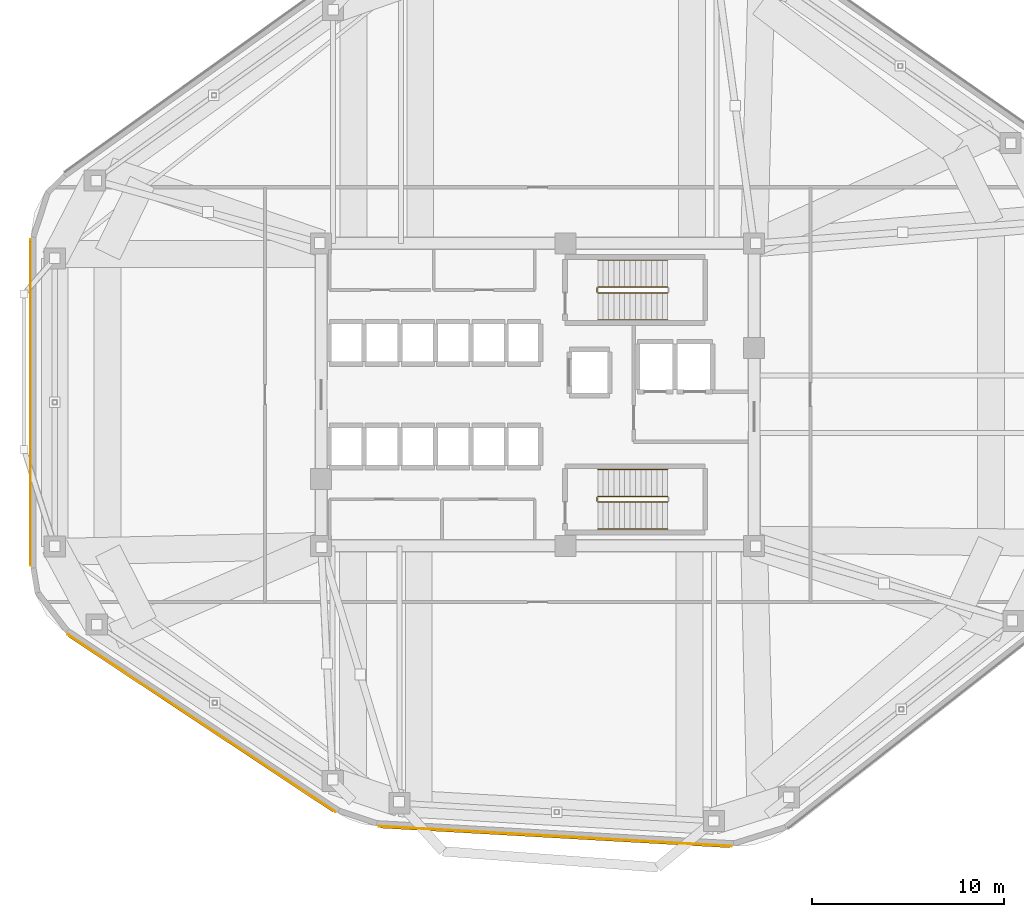
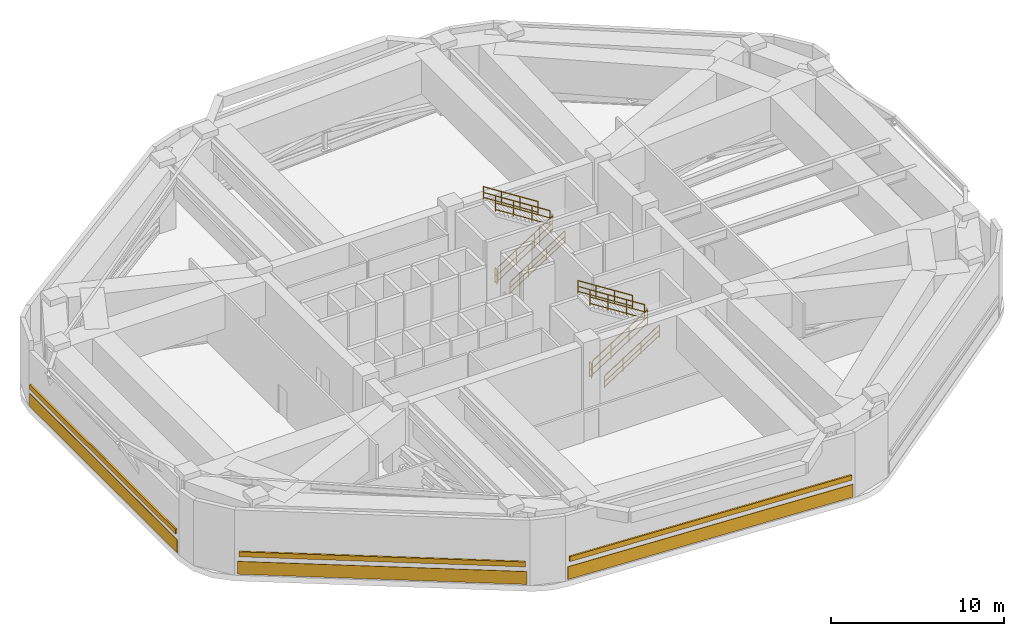
# One storey, part 10 of 12: 10 railings, 3 coverings, 3 shading devices.
"""IFC4 building model written with IfcOpenShell, lengths in metres."""

from ifc_helpers import new_model, si_unit, direction, frame, origin, origin_2d, place, context, subcontext, project, spatial, rectangle, extrude, material, layer, layer_set, type_object, element, save


model = new_model("IFC4")

# Units and contexts
model_context = context("Model", 3, precision=1e-05, world=origin(), true_north=direction((0.0, 1.0)))
body_context = subcontext(model_context, "Body", "Model", "MODEL_VIEW")
ifc_project = project(units=[si_unit("LENGTHUNIT", "METRE"), si_unit("AREAUNIT", "SQUARE_METRE"), si_unit("VOLUMEUNIT", "CUBIC_METRE"), si_unit("PLANEANGLEUNIT", "RADIAN"), si_unit("MASSUNIT", "GRAM", prefix="KILO")], contexts=[model_context])

# Site, building, storey
site_placement = place(None, origin())
site = spatial("IfcSite", under=ifc_project, at=site_placement, CompositionType="ELEMENT")
building_placement = place(site_placement, origin())
building = spatial("IfcBuilding", under=site, at=building_placement, Name="Zulverin Broadcast Headquarters", CompositionType="ELEMENT")
storey_placement = place(building_placement, frame((0.0, 0.0, 120.0)))
storey = spatial("IfcBuildingStorey", under=building, at=storey_placement, Name="L30", CompositionType="ELEMENT", Elevation=120.0)

# Coverings
ifc_material_1 = material(Name="Brushed pale-aluminium rainscreen cladding", Category="aluminium")
ifc_layer = layer(ifc_material_1, 0.0400390625, Name="Brushed pale-aluminium rainscreen cladding", Category="aluminium")
ifc_layer_set = layer_set([ifc_layer], Name="Brushed pale-aluminium rainscreen cladding")
covering_type = type_object("IfcCoveringType", Name="COV-CLAD-MEP", PredefinedType="CLADDING", material=ifc_layer_set)
covering_1_placement = place(storey_placement, frame((37.914794921875, 2.2021484375, 0.10009765625), z_axis=(0.0, 0.0, 1.0), x_axis=(0.998411399248, -0.056344279679, 0.0)))
element("IfcCovering", 1, at=covering_1_placement, inside=storey, type_object=covering_type, Name="L30 Brushed Pale-Aluminium Cladding Band 1", PredefinedType="CLADDING", context=body_context, shape_type="SweptSolid", body=[
    extrude(rectangle(XDim=18.40478515625, YDim=0.0400390625, at=origin_2d()), origin(), (0.0, 0.0, 1.0), 0.89990234375),
])
covering_2_placement = place(storey_placement, frame((10.590087890625, 24.7978515625, 0.10009765625), z_axis=(0.0, 0.0, 1.0), x_axis=(0.0, -1.0, 0.0)))
element("IfcCovering", 2, at=covering_2_placement, inside=storey, type_object=covering_type, Name="L30 Brushed Pale-Aluminium Cladding Band 7", PredefinedType="CLADDING", context=body_context, shape_type="SweptSolid", body=[
    extrude(rectangle(XDim=17.000732421875, YDim=0.0400390625, at=origin_2d()), origin(), (0.0, 0.0, 1.0), 0.89990234375),
])
covering_3_placement = place(storey_placement, frame((19.48583984375, 8.09765625, 0.10009765625), z_axis=(0.0, 0.0, 1.0), x_axis=(0.833505115786, -0.552511739205, 0.0)))
element("IfcCovering", 3, at=covering_3_placement, inside=storey, type_object=covering_type, Name="L30 Brushed Pale-Aluminium Cladding Band 8", PredefinedType="CLADDING", context=body_context, shape_type="SweptSolid", body=[
    extrude(rectangle(XDim=16.740234375, YDim=0.0400390625, at=origin_2d()), origin(), (0.0, 0.0, 1.0), 0.89990234375),
])

# Railings
ifc_material_2 = material(Name="Painted galvanized steel tubular guardrail S355JR", Category="steel")
railing_type_1 = type_object("IfcRailingType", Name="RL-ST-GUARD", PredefinedType="GUARDRAIL", material=ifc_material_2)
railing_1_placement = place(storey_placement, frame((40.1298828125, 30.5, 0.178466796875)))
element("IfcRailing", 4, at=railing_1_placement, inside=storey, type_object=railing_type_1, Name="L30 ST-1 stair guard 1", PredefinedType="GUARDRAIL", context=body_context, shape_type="SweptSolid", body=[
    extrude(rectangle(XDim=0.048095703125, YDim=0.048095703125, at=origin_2d()), frame((0.0, 0.0, 1.076171875), z_axis=(0.843127859045, 0.0, 0.537713132908), x_axis=(0.0, 1.0, 0.0)), (0.0, 0.0, 1.0), 4.3173828125),
    extrude(rectangle(XDim=0.0419921875, YDim=0.0419921875, at=origin_2d()), frame((0.0, 0.0, 0.572021484375), z_axis=(0.843127859045, 0.0, 0.537713132908), x_axis=(0.0, 1.0, 0.0)), (0.0, 0.0, 1.0), 4.3173828125),
    extrude(rectangle(XDim=0.0419921875, YDim=0.0419921875, at=origin_2d()), frame((0.0, 0.0, 0.1201171875), z_axis=(0.843127859045, 0.0, 0.537713132908), x_axis=(0.0, 1.0, 0.0)), (0.0, 0.0, 1.0), 4.3173828125),
    extrude(rectangle(XDim=0.0419921875, YDim=0.0419921875, at=origin_2d()), origin(), (0.0, 0.0, 1.0), 1.052001953125),
    extrude(rectangle(XDim=0.0419921875, YDim=0.0419921875, at=origin_2d()), frame((1.21337890625, 0.0, 0.77392578125)), (0.0, 0.0, 1.0), 1.052001953125),
    extrude(rectangle(XDim=0.0419921875, YDim=0.0419921875, at=origin_2d()), frame((2.4267578125, 0.0, 1.547607421875)), (0.0, 0.0, 1.0), 1.052001953125),
    extrude(rectangle(XDim=0.0419921875, YDim=0.0419921875, at=origin_2d()), frame((3.64013671875, 0.0, 2.321533203125)), (0.0, 0.0, 1.0), 1.052001953125),
])
railing_2_placement = place(storey_placement, frame((43.77001953125, 30.800048828125, 2.678466796875)))
element("IfcRailing", 5, at=railing_2_placement, inside=storey, type_object=railing_type_1, Name="L30 ST-1 stair guard 3", PredefinedType="GUARDRAIL", context=body_context, shape_type="SweptSolid", body=[
    extrude(rectangle(XDim=0.048095703125, YDim=0.048095703125, at=origin_2d()), frame((0.0, 0.0, 1.076171875), z_axis=(-0.843127859045, 0.0, 0.537713132908), x_axis=(0.0, -1.0, 0.0)), (0.0, 0.0, 1.0), 4.3173828125),
    extrude(rectangle(XDim=0.0419921875, YDim=0.0419921875, at=origin_2d()), frame((0.0, 0.0, 0.572021484375), z_axis=(-0.843127859045, 0.0, 0.537713132908), x_axis=(0.0, -1.0, 0.0)), (0.0, 0.0, 1.0), 4.3173828125),
    extrude(rectangle(XDim=0.0419921875, YDim=0.0419921875, at=origin_2d()), frame((0.0, 0.0, 0.1201171875), z_axis=(-0.843127859045, 0.0, 0.537713132908), x_axis=(0.0, -1.0, 0.0)), (0.0, 0.0, 1.0), 4.3173828125),
    extrude(rectangle(XDim=0.0419921875, YDim=0.0419921875, at=origin_2d()), origin(), (0.0, 0.0, 1.0), 1.052001953125),
    extrude(rectangle(XDim=0.0419921875, YDim=0.0419921875, at=origin_2d()), frame((-1.21337890625, 0.0, 0.77392578125)), (0.0, 0.0, 1.0), 1.052001953125),
    extrude(rectangle(XDim=0.0419921875, YDim=0.0419921875, at=origin_2d()), frame((-2.4267578125, 0.0, 1.547607421875)), (0.0, 0.0, 1.0), 1.052001953125),
    extrude(rectangle(XDim=0.0419921875, YDim=0.0419921875, at=origin_2d()), frame((-3.64013671875, 0.0, 2.321533203125)), (0.0, 0.0, 1.0), 1.052001953125),
])
railing_3_placement = place(storey_placement, frame((40.080078125, 30.550048828125, 0.0)))
element("IfcRailing", 6, at=railing_3_placement, inside=storey, type_object=railing_type_1, Name="L30 ST-1 stair guard 4", PredefinedType="GUARDRAIL", context=body_context, shape_type="SweptSolid", body=[
    extrude(rectangle(XDim=0.048095703125, YDim=0.048095703125, at=origin_2d()), frame((0.0, 0.0, 1.076171875), z_axis=(0.0, 1.0, 0.0), x_axis=(-1.0, 0.0, 0.0)), (0.0, 0.0, 1.0), 0.199951171875),
    extrude(rectangle(XDim=0.0419921875, YDim=0.0419921875, at=origin_2d()), frame((0.0, 0.0, 0.572021484375), z_axis=(0.0, 1.0, 0.0), x_axis=(-1.0, 0.0, 0.0)), (0.0, 0.0, 1.0), 0.199951171875),
    extrude(rectangle(XDim=0.0419921875, YDim=0.0419921875, at=origin_2d()), frame((0.0, 0.0, 0.1201171875), z_axis=(0.0, 1.0, 0.0), x_axis=(-1.0, 0.0, 0.0)), (0.0, 0.0, 1.0), 0.199951171875),
    extrude(rectangle(XDim=0.0419921875, YDim=0.0419921875, at=origin_2d()), origin(), (0.0, 0.0, 1.0), 1.052001953125),
    extrude(rectangle(XDim=0.0419921875, YDim=0.0419921875, at=origin_2d()), frame((0.0, 0.199951171875, 0.0)), (0.0, 0.0, 1.0), 1.052001953125),
])
railing_4_placement = place(storey_placement, frame((40.1298828125, 19.60009765625, 0.178466796875)))
element("IfcRailing", 7, at=railing_4_placement, inside=storey, type_object=railing_type_1, Name="L30 ST-2 stair guard 1", PredefinedType="GUARDRAIL", context=body_context, shape_type="SweptSolid", body=[
    extrude(rectangle(XDim=0.048095703125, YDim=0.048095703125, at=origin_2d()), frame((0.0, 0.0, 1.076171875), z_axis=(0.843127859045, 0.0, 0.537713132908), x_axis=(0.0, 1.0, 0.0)), (0.0, 0.0, 1.0), 4.3173828125),
    extrude(rectangle(XDim=0.0419921875, YDim=0.0419921875, at=origin_2d()), frame((0.0, 0.0, 0.572021484375), z_axis=(0.843127859045, 0.0, 0.537713132908), x_axis=(0.0, 1.0, 0.0)), (0.0, 0.0, 1.0), 4.3173828125),
    extrude(rectangle(XDim=0.0419921875, YDim=0.0419921875, at=origin_2d()), frame((0.0, 0.0, 0.1201171875), z_axis=(0.843127859045, 0.0, 0.537713132908), x_axis=(0.0, 1.0, 0.0)), (0.0, 0.0, 1.0), 4.3173828125),
    extrude(rectangle(XDim=0.0419921875, YDim=0.0419921875, at=origin_2d()), origin(), (0.0, 0.0, 1.0), 1.052001953125),
    extrude(rectangle(XDim=0.0419921875, YDim=0.0419921875, at=origin_2d()), frame((1.21337890625, 0.0, 0.77392578125)), (0.0, 0.0, 1.0), 1.052001953125),
    extrude(rectangle(XDim=0.0419921875, YDim=0.0419921875, at=origin_2d()), frame((2.4267578125, 0.0, 1.547607421875)), (0.0, 0.0, 1.0), 1.052001953125),
    extrude(rectangle(XDim=0.0419921875, YDim=0.0419921875, at=origin_2d()), frame((3.64013671875, 0.0, 2.321533203125)), (0.0, 0.0, 1.0), 1.052001953125),
])
railing_5_placement = place(storey_placement, frame((43.77001953125, 19.89990234375, 2.678466796875)))
element("IfcRailing", 8, at=railing_5_placement, inside=storey, type_object=railing_type_1, Name="L30 ST-2 stair guard 3", PredefinedType="GUARDRAIL", context=body_context, shape_type="SweptSolid", body=[
    extrude(rectangle(XDim=0.048095703125, YDim=0.048095703125, at=origin_2d()), frame((0.0, 0.0, 1.076171875), z_axis=(-0.843127859045, 0.0, 0.537713132908), x_axis=(0.0, -1.0, 0.0)), (0.0, 0.0, 1.0), 4.3173828125),
    extrude(rectangle(XDim=0.0419921875, YDim=0.0419921875, at=origin_2d()), frame((0.0, 0.0, 0.572021484375), z_axis=(-0.843127859045, 0.0, 0.537713132908), x_axis=(0.0, -1.0, 0.0)), (0.0, 0.0, 1.0), 4.3173828125),
    extrude(rectangle(XDim=0.0419921875, YDim=0.0419921875, at=origin_2d()), frame((0.0, 0.0, 0.1201171875), z_axis=(-0.843127859045, 0.0, 0.537713132908), x_axis=(0.0, -1.0, 0.0)), (0.0, 0.0, 1.0), 4.3173828125),
    extrude(rectangle(XDim=0.0419921875, YDim=0.0419921875, at=origin_2d()), origin(), (0.0, 0.0, 1.0), 1.052001953125),
    extrude(rectangle(XDim=0.0419921875, YDim=0.0419921875, at=origin_2d()), frame((-1.21337890625, 0.0, 0.77392578125)), (0.0, 0.0, 1.0), 1.052001953125),
    extrude(rectangle(XDim=0.0419921875, YDim=0.0419921875, at=origin_2d()), frame((-2.4267578125, 0.0, 1.547607421875)), (0.0, 0.0, 1.0), 1.052001953125),
    extrude(rectangle(XDim=0.0419921875, YDim=0.0419921875, at=origin_2d()), frame((-3.64013671875, 0.0, 2.321533203125)), (0.0, 0.0, 1.0), 1.052001953125),
])
railing_6_placement = place(storey_placement, frame((40.080078125, 19.64990234375, 0.0)))
element("IfcRailing", 9, at=railing_6_placement, inside=storey, type_object=railing_type_1, Name="L30 ST-2 stair guard 4", PredefinedType="GUARDRAIL", context=body_context, shape_type="SweptSolid", body=[
    extrude(rectangle(XDim=0.048095703125, YDim=0.048095703125, at=origin_2d()), frame((0.0, 0.0, 1.076171875), z_axis=(0.0, 1.0, 0.0), x_axis=(-1.0, 0.0, 0.0)), (0.0, 0.0, 1.0), 0.2001953125),
    extrude(rectangle(XDim=0.0419921875, YDim=0.0419921875, at=origin_2d()), frame((0.0, 0.0, 0.572021484375), z_axis=(0.0, 1.0, 0.0), x_axis=(-1.0, 0.0, 0.0)), (0.0, 0.0, 1.0), 0.2001953125),
    extrude(rectangle(XDim=0.0419921875, YDim=0.0419921875, at=origin_2d()), frame((0.0, 0.0, 0.1201171875), z_axis=(0.0, 1.0, 0.0), x_axis=(-1.0, 0.0, 0.0)), (0.0, 0.0, 1.0), 0.2001953125),
    extrude(rectangle(XDim=0.0419921875, YDim=0.0419921875, at=origin_2d()), origin(), (0.0, 0.0, 1.0), 1.052001953125),
    extrude(rectangle(XDim=0.0419921875, YDim=0.0419921875, at=origin_2d()), frame((0.0, 0.2001953125, 0.0)), (0.0, 0.0, 1.0), 1.052001953125),
])
ifc_material_3 = material(Name="Brushed stainless steel 48 mm handrail", Category="steel")
railing_type_2 = type_object("IfcRailingType", Name="RL-ST-HAND", PredefinedType="HANDRAIL", material=ifc_material_3)
railing_7_placement = place(storey_placement, frame((40.1298828125, 29.10009765625, 0.178466796875)))
element("IfcRailing", 10, at=railing_7_placement, inside=storey, type_object=railing_type_2, Name="L30 ST-1 stair handrail 1", PredefinedType="HANDRAIL", context=body_context, shape_type="SweptSolid", body=[
    extrude(rectangle(XDim=0.048095703125, YDim=0.048095703125, at=origin_2d()), frame((0.0, 0.0, 0.8759765625), z_axis=(0.843127859045, 0.0, 0.537713132908), x_axis=(0.0, 1.0, 0.0)), (0.0, 0.0, 1.0), 4.3173828125),
    extrude(rectangle(XDim=0.0419921875, YDim=0.0419921875, at=origin_2d()), frame((0.0, 0.0, 0.468017578125), z_axis=(0.843127859045, 0.0, 0.537713132908), x_axis=(0.0, 1.0, 0.0)), (0.0, 0.0, 1.0), 4.3173828125),
    extrude(rectangle(XDim=0.0419921875, YDim=0.0419921875, at=origin_2d()), frame((0.0, 0.0, 0.1201171875), z_axis=(0.843127859045, 0.0, 0.537713132908), x_axis=(0.0, 1.0, 0.0)), (0.0, 0.0, 1.0), 4.3173828125),
    extrude(rectangle(XDim=0.0419921875, YDim=0.0419921875, at=origin_2d()), origin(), (0.0, 0.0, 1.0), 0.851806640625),
    extrude(rectangle(XDim=0.0419921875, YDim=0.0419921875, at=origin_2d()), frame((1.21337890625, 0.0, 0.77392578125)), (0.0, 0.0, 1.0), 0.851806640625),
    extrude(rectangle(XDim=0.0419921875, YDim=0.0419921875, at=origin_2d()), frame((2.4267578125, 0.0, 1.547607421875)), (0.0, 0.0, 1.0), 0.851806640625),
    extrude(rectangle(XDim=0.0419921875, YDim=0.0419921875, at=origin_2d()), frame((3.64013671875, 0.0, 2.321533203125)), (0.0, 0.0, 1.0), 0.851806640625),
])
railing_8_placement = place(storey_placement, frame((43.77001953125, 32.199951171875, 2.678466796875)))
element("IfcRailing", 11, at=railing_8_placement, inside=storey, type_object=railing_type_2, Name="L30 ST-1 stair handrail 2", PredefinedType="HANDRAIL", context=body_context, shape_type="SweptSolid", body=[
    extrude(rectangle(XDim=0.048095703125, YDim=0.048095703125, at=origin_2d()), frame((0.0, 0.0, 0.8759765625), z_axis=(-0.843127859045, 0.0, 0.537713132908), x_axis=(0.0, -1.0, 0.0)), (0.0, 0.0, 1.0), 4.3173828125),
    extrude(rectangle(XDim=0.0419921875, YDim=0.0419921875, at=origin_2d()), frame((0.0, 0.0, 0.468017578125), z_axis=(-0.843127859045, 0.0, 0.537713132908), x_axis=(0.0, -1.0, 0.0)), (0.0, 0.0, 1.0), 4.3173828125),
    extrude(rectangle(XDim=0.0419921875, YDim=0.0419921875, at=origin_2d()), frame((0.0, 0.0, 0.1201171875), z_axis=(-0.843127859045, 0.0, 0.537713132908), x_axis=(0.0, -1.0, 0.0)), (0.0, 0.0, 1.0), 4.3173828125),
    extrude(rectangle(XDim=0.0419921875, YDim=0.0419921875, at=origin_2d()), origin(), (0.0, 0.0, 1.0), 0.851806640625),
    extrude(rectangle(XDim=0.0419921875, YDim=0.0419921875, at=origin_2d()), frame((-1.21337890625, 0.0, 0.77392578125)), (0.0, 0.0, 1.0), 0.851806640625),
    extrude(rectangle(XDim=0.0419921875, YDim=0.0419921875, at=origin_2d()), frame((-2.4267578125, 0.0, 1.547607421875)), (0.0, 0.0, 1.0), 0.851806640625),
    extrude(rectangle(XDim=0.0419921875, YDim=0.0419921875, at=origin_2d()), frame((-3.64013671875, 0.0, 2.321533203125)), (0.0, 0.0, 1.0), 0.851806640625),
])
railing_9_placement = place(storey_placement, frame((40.1298828125, 18.199951171875, 0.178466796875)))
element("IfcRailing", 12, at=railing_9_placement, inside=storey, type_object=railing_type_2, Name="L30 ST-2 stair handrail 1", PredefinedType="HANDRAIL", context=body_context, shape_type="SweptSolid", body=[
    extrude(rectangle(XDim=0.048095703125, YDim=0.048095703125, at=origin_2d()), frame((0.0, 0.0, 0.8759765625), z_axis=(0.843127859045, 0.0, 0.537713132908), x_axis=(0.0, 1.0, 0.0)), (0.0, 0.0, 1.0), 4.3173828125),
    extrude(rectangle(XDim=0.0419921875, YDim=0.0419921875, at=origin_2d()), frame((0.0, 0.0, 0.468017578125), z_axis=(0.843127859045, 0.0, 0.537713132908), x_axis=(0.0, 1.0, 0.0)), (0.0, 0.0, 1.0), 4.3173828125),
    extrude(rectangle(XDim=0.0419921875, YDim=0.0419921875, at=origin_2d()), frame((0.0, 0.0, 0.1201171875), z_axis=(0.843127859045, 0.0, 0.537713132908), x_axis=(0.0, 1.0, 0.0)), (0.0, 0.0, 1.0), 4.3173828125),
    extrude(rectangle(XDim=0.0419921875, YDim=0.0419921875, at=origin_2d()), origin(), (0.0, 0.0, 1.0), 0.851806640625),
    extrude(rectangle(XDim=0.0419921875, YDim=0.0419921875, at=origin_2d()), frame((1.21337890625, 0.0, 0.77392578125)), (0.0, 0.0, 1.0), 0.851806640625),
    extrude(rectangle(XDim=0.0419921875, YDim=0.0419921875, at=origin_2d()), frame((2.4267578125, 0.0, 1.547607421875)), (0.0, 0.0, 1.0), 0.851806640625),
    extrude(rectangle(XDim=0.0419921875, YDim=0.0419921875, at=origin_2d()), frame((3.64013671875, 0.0, 2.321533203125)), (0.0, 0.0, 1.0), 0.851806640625),
])
railing_10_placement = place(storey_placement, frame((43.77001953125, 21.300048828125, 2.678466796875)))
element("IfcRailing", 13, at=railing_10_placement, inside=storey, type_object=railing_type_2, Name="L30 ST-2 stair handrail 2", PredefinedType="HANDRAIL", context=body_context, shape_type="SweptSolid", body=[
    extrude(rectangle(XDim=0.048095703125, YDim=0.048095703125, at=origin_2d()), frame((0.0, 0.0, 0.8759765625), z_axis=(-0.843127859045, 0.0, 0.537713132908), x_axis=(0.0, -1.0, 0.0)), (0.0, 0.0, 1.0), 4.3173828125),
    extrude(rectangle(XDim=0.0419921875, YDim=0.0419921875, at=origin_2d()), frame((0.0, 0.0, 0.468017578125), z_axis=(-0.843127859045, 0.0, 0.537713132908), x_axis=(0.0, -1.0, 0.0)), (0.0, 0.0, 1.0), 4.3173828125),
    extrude(rectangle(XDim=0.0419921875, YDim=0.0419921875, at=origin_2d()), frame((0.0, 0.0, 0.1201171875), z_axis=(-0.843127859045, 0.0, 0.537713132908), x_axis=(0.0, -1.0, 0.0)), (0.0, 0.0, 1.0), 4.3173828125),
    extrude(rectangle(XDim=0.0419921875, YDim=0.0419921875, at=origin_2d()), origin(), (0.0, 0.0, 1.0), 0.851806640625),
    extrude(rectangle(XDim=0.0419921875, YDim=0.0419921875, at=origin_2d()), frame((-1.21337890625, 0.0, 0.77392578125)), (0.0, 0.0, 1.0), 0.851806640625),
    extrude(rectangle(XDim=0.0419921875, YDim=0.0419921875, at=origin_2d()), frame((-2.4267578125, 0.0, 1.547607421875)), (0.0, 0.0, 1.0), 0.851806640625),
    extrude(rectangle(XDim=0.0419921875, YDim=0.0419921875, at=origin_2d()), frame((-3.64013671875, 0.0, 2.321533203125)), (0.0, 0.0, 1.0), 0.851806640625),
])

# Shading devices
ifc_material_4 = material(Name="Anodized pale-metal aluminium acoustic louvre", Category="aluminium")
shading_device_type = type_object("IfcShadingDeviceType", Name="SHD-LOUVRE-350", PredefinedType="USERDEFINED", material=ifc_material_4)
shading_device_1_placement = place(storey_placement, frame((37.9130859375, 2.172119140625, 1.375), z_axis=(0.0, 0.0, 1.0), x_axis=(0.998411399248, -0.056344279679, 0.0)))
element("IfcShadingDevice", 14, at=shading_device_1_placement, inside=storey, type_object=shading_device_type, Name="L30 Plant Room Acoustic Louvre Screen 1", ObjectType="LOUVRE", PredefinedType="USERDEFINED", context=body_context, shape_type="SweptSolid", body=[
    extrude(rectangle(XDim=18.204833984375, YDim=0.1201171875, at=origin_2d()), origin(), (0.0, 0.0, 1.0), 0.35009765625),
])
shading_device_2_placement = place(storey_placement, frame((10.56005859375, 24.7978515625, 1.375), z_axis=(0.0, 0.0, 1.0), x_axis=(0.0, -1.0, 0.0)))
element("IfcShadingDevice", 15, at=shading_device_2_placement, inside=storey, type_object=shading_device_type, Name="L30 Plant Room Acoustic Louvre Screen 7", ObjectType="LOUVRE", PredefinedType="USERDEFINED", context=body_context, shape_type="SweptSolid", body=[
    extrude(rectangle(XDim=16.80078125, YDim=0.1201171875, at=origin_2d()), origin(), (0.0, 0.0, 1.0), 0.35009765625),
])
shading_device_3_placement = place(storey_placement, frame((19.46923828125, 8.07275390625, 1.375), z_axis=(0.0, 0.0, 1.0), x_axis=(0.833505115786, -0.552511739205, 0.0)))
element("IfcShadingDevice", 16, at=shading_device_3_placement, inside=storey, type_object=shading_device_type, Name="L30 Plant Room Acoustic Louvre Screen 8", ObjectType="LOUVRE", PredefinedType="USERDEFINED", context=body_context, shape_type="SweptSolid", body=[
    extrude(rectangle(XDim=16.540283203125, YDim=0.1201171875, at=origin_2d()), origin(), (0.0, 0.0, 1.0), 0.35009765625),
])

save(model, "model.ifc")
